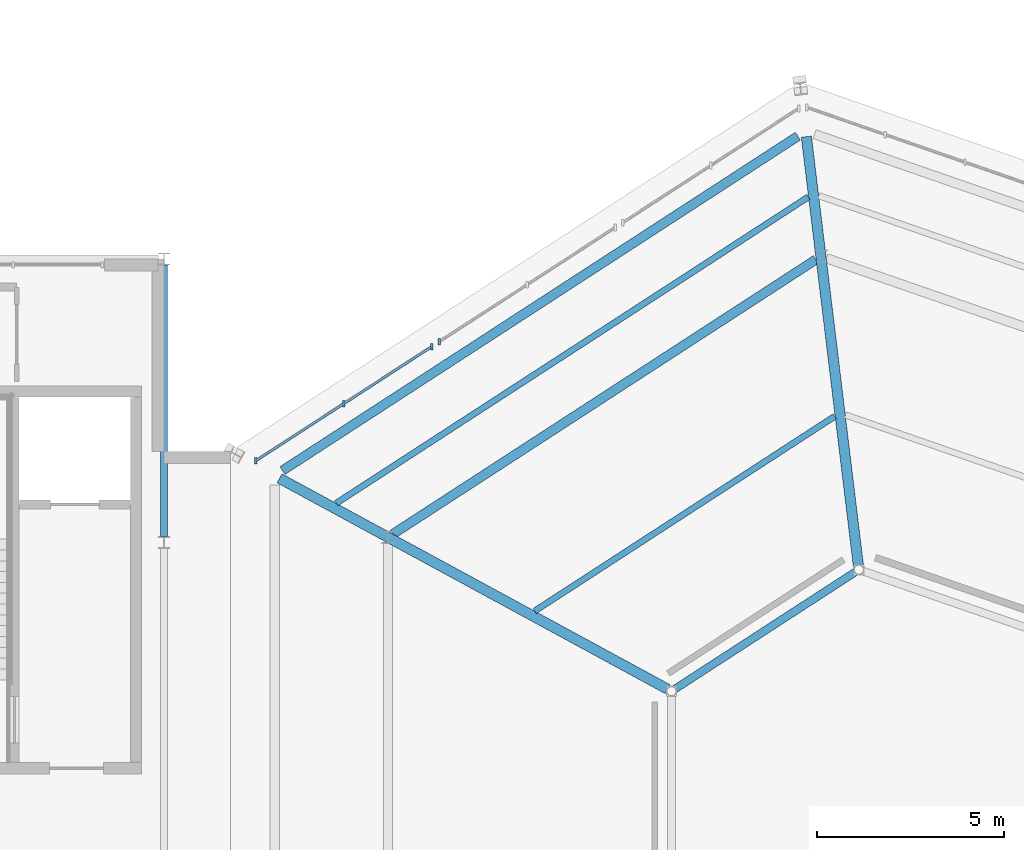
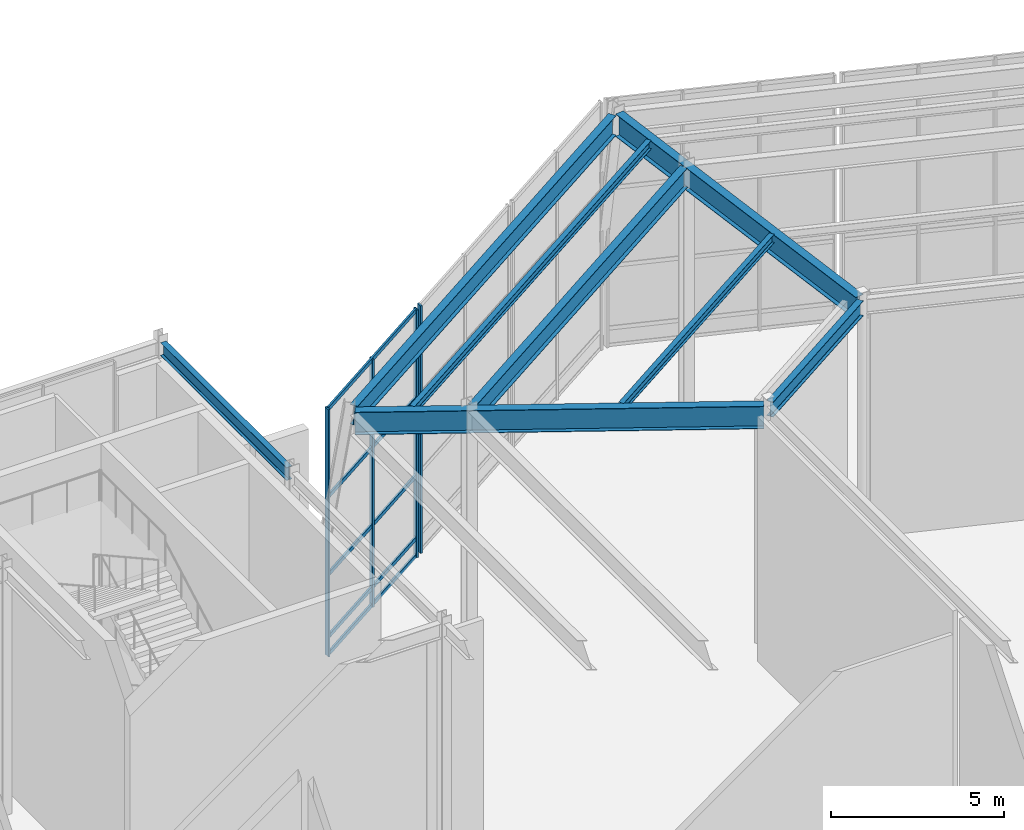
# One storey, part 17 of 48: 9 members, 8 beams, 2 elements without a shape of their own.
"""IFC4 building model written with IfcOpenShell, lengths in metres."""

from ifc_helpers import new_model, si_unit, direction, frame, origin, origin_2d, place, context, subcontext, project, spatial, rectangle, i_section, extrude, material, material_profile, profile_set, type_object, element, aggregate, save


model = new_model("IFC4")

# Units and contexts
model_context = context("Model", 3, precision=1e-05, world=origin(), true_north=direction((0.0, 1.0)))
body_context = subcontext(model_context, "Body", "Model", "MODEL_VIEW")
ifc_project = project(units=[si_unit("LENGTHUNIT", "METRE"), si_unit("AREAUNIT", "SQUARE_METRE"), si_unit("VOLUMEUNIT", "CUBIC_METRE"), si_unit("PLANEANGLEUNIT", "RADIAN"), si_unit("MASSUNIT", "GRAM", prefix="KILO")], contexts=[model_context])

# Site, building, storey
site_placement = place(None, origin())
site = spatial("IfcSite", under=ifc_project, at=site_placement, CompositionType="ELEMENT")
building_placement = place(site_placement, origin())
building = spatial("IfcBuilding", under=site, at=building_placement, Name="Sarnbrook Museum", CompositionType="ELEMENT")
storey_placement = place(building_placement, frame((0.0, 0.0, 19.10009765625)))
storey = spatial("IfcBuildingStorey", under=building, at=storey_placement, Name="L04", CompositionType="ELEMENT", Elevation=19.10009765625)

# Beams
ifc_material_1 = material(Name="Structural Steel Grade 300PLUS (AS/NZS 3679.1, fy = 280 MPa for 17 < t <= 40 mm, 300 MPa for t <= 17 mm)", Category="steel")
ifc_material_profile_1 = material_profile(ifc_material_1, i_section(OverallWidth=0.18994140625, OverallDepth=0.45703125, WebThickness=0.009033203125, FlangeThickness=0.014404296875, FilletRadius=0.011474609375, at=origin_2d()), Name="460UB74.6")
ifc_profile_set_1 = profile_set([ifc_material_profile_1], Name="Structural Steel Grade 300PLUS (AS/NZS 3679.1, fy = 280 MPa for 17 < t <= 40 mm, 300 MPa for t <= 17 mm)")
beam_type_1 = type_object("IfcBeamType", Name="BM-UB460", PredefinedType="BEAM", material=ifc_profile_set_1)
beam_1_placement = place(storey_placement, frame((119.199951171875, 100.95751953125, 8.521484375), z_axis=(0.0, 1.0, 0.0), x_axis=(-1.0, 0.0, 0.0)))
element("IfcBeam", 1, at=beam_1_placement, inside=storey, type_object=beam_type_1, Name="Girder 13:M-N L04", PredefinedType="BEAM", context=body_context, shape_type="SweptSolid", body=[
    extrude(i_section(OverallWidth=0.18994140625, OverallDepth=0.45703125, WebThickness=0.009033203125, FlangeThickness=0.014404296875, FilletRadius=0.011474609375, at=origin_2d()), origin(), (0.0, 0.0, 1.0), 7.284912109375),
])
ifc_material_profile_2 = material_profile(ifc_material_1, i_section(OverallWidth=0.208984375, OverallDepth=0.532958984375, WebThickness=0.01025390625, FlangeThickness=0.015625, FilletRadius=0.013916015625, at=origin_2d()), Name="530UB92.4")
ifc_profile_set_2 = profile_set([ifc_material_profile_2], Name="Structural Steel Grade 300PLUS (AS/NZS 3679.1, fy = 280 MPa for 17 < t <= 40 mm, 300 MPa for t <= 17 mm)")
beam_type_2 = type_object("IfcBeamType", Name="BM-UB530", PredefinedType="BEAM", material=ifc_profile_set_2)
beam_2_placement = place(storey_placement, frame((137.7216796875, 100.00537109375, 8.473388671875), z_axis=(-0.838900474039, -0.544284846984, 0.0), x_axis=(0.544284846984, -0.838900474039, 0.0)))
element("IfcBeam", 2, at=beam_2_placement, inside=storey, type_object=beam_type_2, Name="Crystal Hall R2 Ring Girder 6 L04", PredefinedType="BEAM", context=body_context, shape_type="SweptSolid", body=[
    extrude(i_section(OverallWidth=0.208984375, OverallDepth=0.532958984375, WebThickness=0.01025390625, FlangeThickness=0.015625, FilletRadius=0.013916015625, at=origin_2d()), origin(), (0.0, 0.0, 1.0), 5.746826171875),
])
ifc_material_2 = material(Name="Structural Steel Grade 350L0 (AS/NZS 3678, fy = 340 MPa for 20 < t <= 40 mm)", Category="steel")
ifc_material_profile_3 = material_profile(ifc_material_2, i_section(OverallWidth=0.25, OverallDepth=0.699951171875, WebThickness=0.010009765625, FlangeThickness=0.01611328125, at=origin_2d()), Name="700WB130")
ifc_profile_set_3 = profile_set([ifc_material_profile_3], Name="Structural Steel Grade 350L0 (AS/NZS 3678, fy = 340 MPa for 20 < t <= 40 mm)")
beam_type_3 = type_object("IfcBeamType", Name="BM-WB700", PredefinedType="BEAM", material=ifc_profile_set_3)
beam_3_placement = place(storey_placement, frame((136.187255859375, 111.6904296875, 8.389892578125), z_axis=(-0.838898537647, -0.544287831514, 0.0), x_axis=(0.544287831514, -0.838898537647, 0.0)))
element("IfcBeam", 3, at=beam_3_placement, inside=storey, type_object=beam_type_3, Name="Crystal Hall Perimeter Ring Girder 6 L04", PredefinedType="BEAM", context=body_context, shape_type="SweptSolid", body=[
    extrude(i_section(OverallWidth=0.25, OverallDepth=0.699951171875, WebThickness=0.010009765625, FlangeThickness=0.01611328125, at=origin_2d()), origin(), (0.0, 0.0, 1.0), 16.468505859375),
])
beam_4_placement = place(storey_placement, frame((136.669921875, 108.38232421875, 8.389892578125), z_axis=(-0.838898634594, -0.544287682091, 0.0), x_axis=(0.544287682091, -0.838898634594, 0.0)))
element("IfcBeam", 4, at=beam_4_placement, inside=storey, type_object=beam_type_3, Name="Crystal Hall R1 Ring Girder 6 L04", PredefinedType="BEAM", context=body_context, shape_type="SweptSolid", body=[
    extrude(i_section(OverallWidth=0.25, OverallDepth=0.699951171875, WebThickness=0.010009765625, FlangeThickness=0.01611328125, at=origin_2d()), origin(), (0.0, 0.0, 1.0), 13.5126953125),
])
ifc_material_profile_4 = material_profile(ifc_material_2, i_section(OverallWidth=0.27490234375, OverallDepth=0.800048828125, WebThickness=0.010009765625, FlangeThickness=0.01611328125, at=origin_2d()), Name="800WB146")
ifc_profile_set_4 = profile_set([ifc_material_profile_4], Name="Structural Steel Grade 350L0 (AS/NZS 3678, fy = 340 MPa for 20 < t <= 40 mm)")
beam_type_4 = type_object("IfcBeamType", Name="CR-CANT", PredefinedType="BEAM", material=ifc_profile_set_4)
beam_5_placement = place(storey_placement, frame((137.80810546875, 100.189697265625, 8.33984375), z_axis=(-0.120383032665, 0.992727518228, 0.0), x_axis=(-0.992727518228, -0.120383032665, 0.0)))
element("IfcBeam", 5, at=beam_5_placement, inside=storey, type_object=beam_type_4, Name="Crystal Hall Radial Cantilever Girder 6 L04", PredefinedType="BEAM", context=body_context, shape_type="SweptSolid", body=[
    extrude(i_section(OverallWidth=0.27490234375, OverallDepth=0.800048828125, WebThickness=0.010009765625, FlangeThickness=0.01611328125, at=origin_2d()), origin(), (0.0, 0.0, 1.0), 11.572021484375),
])
beam_6_placement = place(storey_placement, frame((132.694580078125, 96.869384765625, 8.33984375), z_axis=(-0.878717241574, 0.477342654034, 0.0), x_axis=(-0.477342654034, -0.878717241574, 0.0)))
element("IfcBeam", 6, at=beam_6_placement, inside=storey, type_object=beam_type_4, Name="Crystal Hall Radial Cantilever Girder 7 L04", PredefinedType="BEAM", context=body_context, shape_type="SweptSolid", body=[
    extrude(i_section(OverallWidth=0.27490234375, OverallDepth=0.800048828125, WebThickness=0.010009765625, FlangeThickness=0.01611328125, at=origin_2d()), origin(), (0.0, 0.0, 1.0), 11.836181640625),
])

# Curtain wall, member
ifc_material_3 = material(Name="Thermally Broken Anodised Aluminium 6063-T6", Category="aluminium")
curtain_wall_type = type_object("IfcCurtainWallType", Name="CurtainWall_CrystalFacet", PredefinedType="NOTDEFINED", material=ifc_material_3)
curtain_wall_1_placement = place(storey_placement, origin())
curtain_wall_1 = element("IfcCurtainWall", 7, at=curtain_wall_1_placement, inside=storey, type_object=curtain_wall_type, Name="Crystal Hall Facet Curtain Wall L04-F6.2", PredefinedType="NOTDEFINED")
ifc_material_profile_5 = material_profile(ifc_material_3, rectangle(XDim=0.06494140625, YDim=0.179931640625, at=origin_2d()), Name="ALU MULLION 65x180")
ifc_profile_set_5 = profile_set([ifc_material_profile_5], Name="Thermally Broken Anodised Aluminium 6063-T6")
member_type_1 = type_object("IfcMemberType", Name="CW_Mullion_180x75", PredefinedType="MULLION", material=ifc_profile_set_5)
member_1_placement = place(storey_placement, frame((126.57421875, 106.179931640625, 0.0), z_axis=(0.0, 0.0, 1.0), x_axis=(1.0, 0.0, 0.0)))
member_1 = element("IfcMember", 8, at=member_1_placement, type_object=member_type_1, Name="Crystal Hall Facet Curtain Wall L04-F6.2 Mullion 3", PredefinedType="MULLION", context=body_context, shape_type="SweptSolid", body=[
    extrude(rectangle(XDim=0.06494140625, YDim=0.179931640625, at=origin_2d()), origin(), (0.0, 0.0, 1.0), 8.739990234375),
])
aggregate(curtain_wall_1, [member_1])

# Curtain wall, members
curtain_wall_2_placement = place(storey_placement, origin())
curtain_wall_2 = element("IfcCurtainWall", 9, at=curtain_wall_2_placement, inside=storey, type_object=curtain_wall_type, Name="Crystal Hall Facet Curtain Wall L04-F6.3", PredefinedType="NOTDEFINED")
member_2_placement = place(storey_placement, frame((126.372802734375, 106.04931640625, 0.0), z_axis=(0.0, 0.0, 1.0), x_axis=(1.0, 0.0, 0.0)))
member_2 = element("IfcMember", 10, at=member_2_placement, type_object=member_type_1, Name="Crystal Hall Facet Curtain Wall L04-F6.3 Mullion 1", PredefinedType="MULLION", context=body_context, shape_type="SweptSolid", body=[
    extrude(rectangle(XDim=0.06494140625, YDim=0.179931640625, at=origin_2d()), origin(), (0.0, 0.0, 1.0), 8.739990234375),
])
member_3_placement = place(storey_placement, frame((124.012939453125, 104.518310546875, 0.0), z_axis=(0.0, 0.0, 1.0), x_axis=(1.0, 0.0, 0.0)))
member_3 = element("IfcMember", 11, at=member_3_placement, type_object=member_type_1, Name="Crystal Hall Facet Curtain Wall L04-F6.3 Mullion 2", PredefinedType="MULLION", context=body_context, shape_type="SweptSolid", body=[
    extrude(rectangle(XDim=0.06494140625, YDim=0.179931640625, at=origin_2d()), origin(), (0.0, 0.0, 1.0), 8.739990234375),
])
member_4_placement = place(storey_placement, frame((121.6533203125, 102.9873046875, 0.0), z_axis=(0.0, 0.0, 1.0), x_axis=(1.0, 0.0, 0.0)))
member_4 = element("IfcMember", 12, at=member_4_placement, type_object=member_type_1, Name="Crystal Hall Facet Curtain Wall L04-F6.3 Mullion 3", PredefinedType="MULLION", context=body_context, shape_type="SweptSolid", body=[
    extrude(rectangle(XDim=0.06494140625, YDim=0.179931640625, at=origin_2d()), origin(), (0.0, 0.0, 1.0), 8.739990234375),
])
ifc_material_profile_6 = material_profile(ifc_material_3, rectangle(XDim=0.06494140625, YDim=0.139892578125, at=origin_2d()), Name="ALU TRANSOM 65x140")
ifc_profile_set_6 = profile_set([ifc_material_profile_6], Name="Thermally Broken Anodised Aluminium 6063-T6")
member_type_2 = type_object("IfcMemberType", Name="CW_Transom_150x65", PredefinedType="USERDEFINED", material=ifc_profile_set_6)
member_5_placement = place(storey_placement, frame((126.364501953125, 106.0439453125, 0.039794921875), z_axis=(-0.838919905703, -0.544254895996, 0.0), x_axis=(0.544254895996, -0.838919905703, 0.0)))
member_5 = element("IfcMember", 13, at=member_5_placement, type_object=member_type_2, Name="Crystal Hall Facet Curtain Wall L04-F6.3 Transom 1", ObjectType="TRANSOM", PredefinedType="USERDEFINED", context=body_context, shape_type="SweptSolid", body=[
    extrude(rectangle(XDim=0.06494140625, YDim=0.139892578125, at=origin_2d()), origin(), (0.0, 0.0, 1.0), 5.60595703125),
])
member_6_placement = place(storey_placement, frame((126.364501953125, 106.0439453125, 0.64990234375), z_axis=(-0.838919905703, -0.544254895996, 0.0), x_axis=(0.544254895996, -0.838919905703, 0.0)))
member_6 = element("IfcMember", 14, at=member_6_placement, type_object=member_type_2, Name="Crystal Hall Facet Curtain Wall L04-F6.3 Transom 2", ObjectType="TRANSOM", PredefinedType="USERDEFINED", context=body_context, shape_type="SweptSolid", body=[
    extrude(rectangle(XDim=0.06494140625, YDim=0.139892578125, at=origin_2d()), origin(), (0.0, 0.0, 1.0), 5.60595703125),
])
member_7_placement = place(storey_placement, frame((126.364501953125, 106.0439453125, 2.849853515625), z_axis=(-0.838919905703, -0.544254895996, 0.0), x_axis=(0.544254895996, -0.838919905703, 0.0)))
member_7 = element("IfcMember", 15, at=member_7_placement, type_object=member_type_2, Name="Crystal Hall Facet Curtain Wall L04-F6.3 Transom 3", ObjectType="TRANSOM", PredefinedType="USERDEFINED", context=body_context, shape_type="SweptSolid", body=[
    extrude(rectangle(XDim=0.06494140625, YDim=0.139892578125, at=origin_2d()), origin(), (0.0, 0.0, 1.0), 5.60595703125),
])
member_8_placement = place(storey_placement, frame((126.364501953125, 106.0439453125, 5.599853515625), z_axis=(-0.838919905703, -0.544254895996, 0.0), x_axis=(0.544254895996, -0.838919905703, 0.0)))
member_8 = element("IfcMember", 16, at=member_8_placement, type_object=member_type_2, Name="Crystal Hall Facet Curtain Wall L04-F6.3 Transom 4", ObjectType="TRANSOM", PredefinedType="USERDEFINED", context=body_context, shape_type="SweptSolid", body=[
    extrude(rectangle(XDim=0.06494140625, YDim=0.139892578125, at=origin_2d()), origin(), (0.0, 0.0, 1.0), 5.60595703125),
])
member_9_placement = place(storey_placement, frame((126.364501953125, 106.0439453125, 8.699951171875), z_axis=(-0.838919905703, -0.544254895996, 0.0), x_axis=(0.544254895996, -0.838919905703, 0.0)))
member_9 = element("IfcMember", 17, at=member_9_placement, type_object=member_type_2, Name="Crystal Hall Facet Curtain Wall L04-F6.3 Transom 5", ObjectType="TRANSOM", PredefinedType="USERDEFINED", context=body_context, shape_type="SweptSolid", body=[
    extrude(rectangle(XDim=0.06494140625, YDim=0.139892578125, at=origin_2d()), origin(), (0.0, 0.0, 1.0), 5.60595703125),
])
aggregate(curtain_wall_2, [member_2, member_3, member_4, member_5, member_6, member_7, member_8, member_9])

# Beams
ifc_material_profile_7 = material_profile(ifc_material_1, i_section(OverallWidth=0.1650390625, OverallDepth=0.303955078125, WebThickness=0.006103515625, FlangeThickness=0.01025390625, FilletRadius=0.011474609375, at=origin_2d()), Name="310UB40.4")
ifc_profile_set_7 = profile_set([ifc_material_profile_7], Name="Structural Steel Grade 300PLUS (AS/NZS 3679.1, fy = 280 MPa for 17 < t <= 40 mm, 300 MPa for t <= 17 mm)")
beam_type_5 = type_object("IfcBeamType", Name="JS-UB310", PredefinedType="JOIST", material=ifc_profile_set_7)
beam_7_placement = place(storey_placement, frame((136.46630859375, 110.060791015625, 8.587890625), z_axis=(-0.838904549763, -0.544278565063, 0.0), x_axis=(0.544278565063, -0.838904549763, 0.0)))
element("IfcBeam", 18, at=beam_7_placement, inside=storey, type_object=beam_type_5, Name="Crystal Hall Tangential Joist MO-6 L04", PredefinedType="JOIST", context=body_context, shape_type="SweptSolid", body=[
    extrude(i_section(OverallWidth=0.1650390625, OverallDepth=0.303955078125, WebThickness=0.006103515625, FlangeThickness=0.01025390625, FilletRadius=0.011474609375, at=origin_2d()), origin(), (0.0, 0.0, 1.0), 15.08056640625),
])
beam_8_placement = place(storey_placement, frame((137.178955078125, 104.18310546875, 8.587890625), z_axis=(-0.838887141633, -0.54430539553, 0.0), x_axis=(0.54430539553, -0.838887141633, 0.0)))
element("IfcBeam", 19, at=beam_8_placement, inside=storey, type_object=beam_type_5, Name="Crystal Hall Tangential Joist MI-6 L04", PredefinedType="JOIST", context=body_context, shape_type="SweptSolid", body=[
    extrude(i_section(OverallWidth=0.1650390625, OverallDepth=0.303955078125, WebThickness=0.006103515625, FlangeThickness=0.01025390625, FilletRadius=0.011474609375, at=origin_2d()), origin(), (0.0, 0.0, 1.0), 9.589599609375),
])

save(model, "model.ifc")
